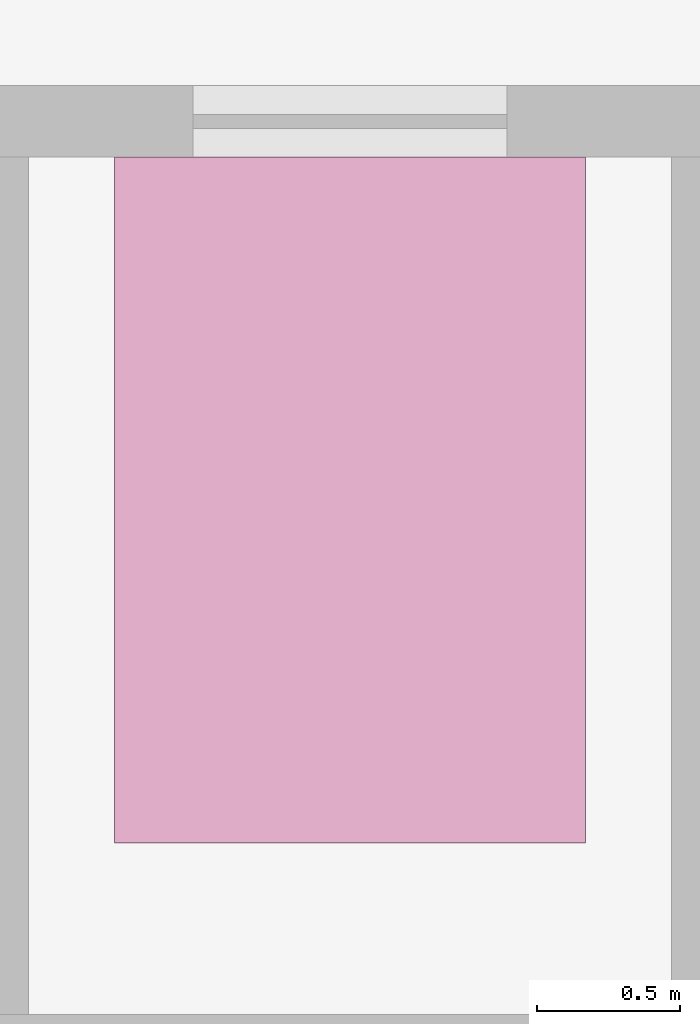
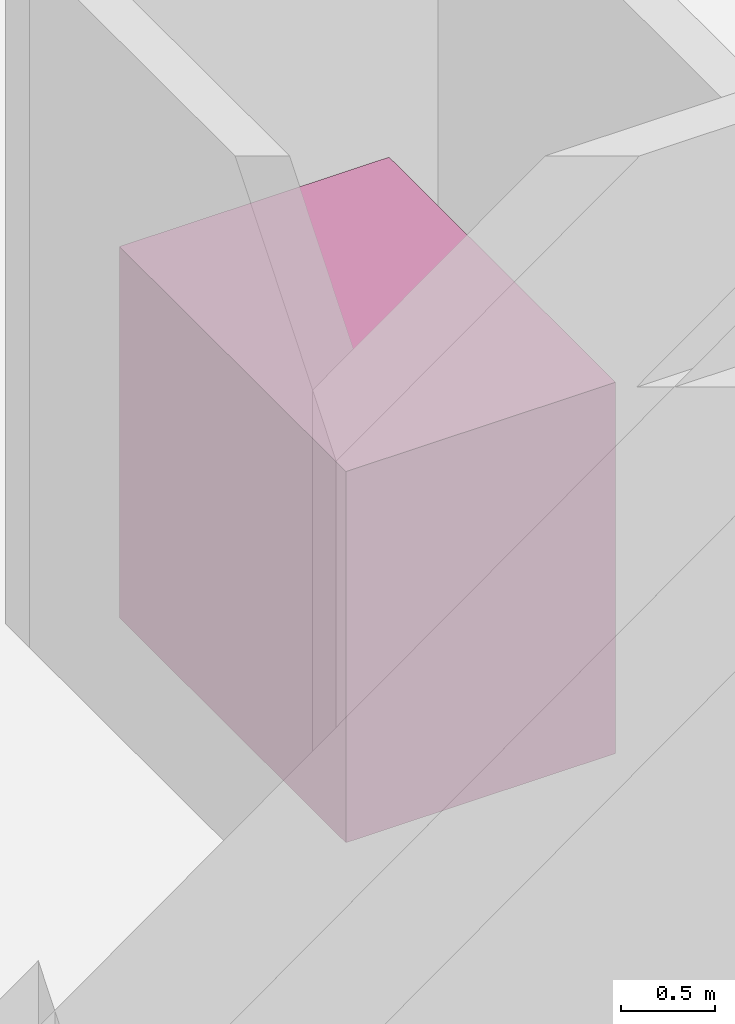
# One storey, part 45 of 45: 1 transport element.
"""IFC4 building model written with IfcOpenShell, lengths in metres."""

from ifc_helpers import new_model, si_unit, direction, frame, origin, origin_2d, place, context, subcontext, project, spatial, rectangle, extrude, material, type_object, element, save


model = new_model("IFC4")

# Units and contexts
model_context = context("Model", 3, precision=1e-05, world=origin(), true_north=direction((0.0, 1.0)))
body_context = subcontext(model_context, "Body", "Model", "MODEL_VIEW")
ifc_project = project(units=[si_unit("LENGTHUNIT", "METRE"), si_unit("AREAUNIT", "SQUARE_METRE"), si_unit("VOLUMEUNIT", "CUBIC_METRE"), si_unit("PLANEANGLEUNIT", "RADIAN"), si_unit("MASSUNIT", "GRAM", prefix="KILO")], contexts=[model_context])

# Site, building, storey
site_placement = place(None, origin())
site = spatial("IfcSite", under=ifc_project, at=site_placement, CompositionType="ELEMENT")
building_placement = place(site_placement, origin())
building = spatial("IfcBuilding", under=site, at=building_placement, Name="Mavantir Sound Aquarium", CompositionType="ELEMENT")
storey_placement = place(building_placement, frame((0.0, 0.0, -4.800048828125)))
storey = spatial("IfcBuildingStorey", under=building, at=storey_placement, Name="B1", CompositionType="ELEMENT", Elevation=-4.800048828125)

# Transport element
ifc_material = material(Name="Anodised Aluminium and Glass Passenger Lift Car", Category="aluminium")
transport_element_type = type_object("IfcTransportElementType", Name="LFT-PAX-1600", PredefinedType="ELEVATOR", material=ifc_material)
transport_element_placement = place(storey_placement, frame((13.52490234375, 3.0, 0.0), z_axis=(0.0, 0.0, 1.0), x_axis=(1.0, 0.0, 0.0)))
element("IfcTransportElement", 1, at=transport_element_placement, inside=storey, type_object=transport_element_type, Name="Lift LC3 car", PredefinedType="ELEVATOR", context=body_context, shape_type="SweptSolid", body=[
    extrude(rectangle(XDim=1.64990234375, YDim=2.39990234375, at=origin_2d()), origin(), (0.0, 0.0, 1.0), 2.39990234375),
])

save(model, "model.ifc")
